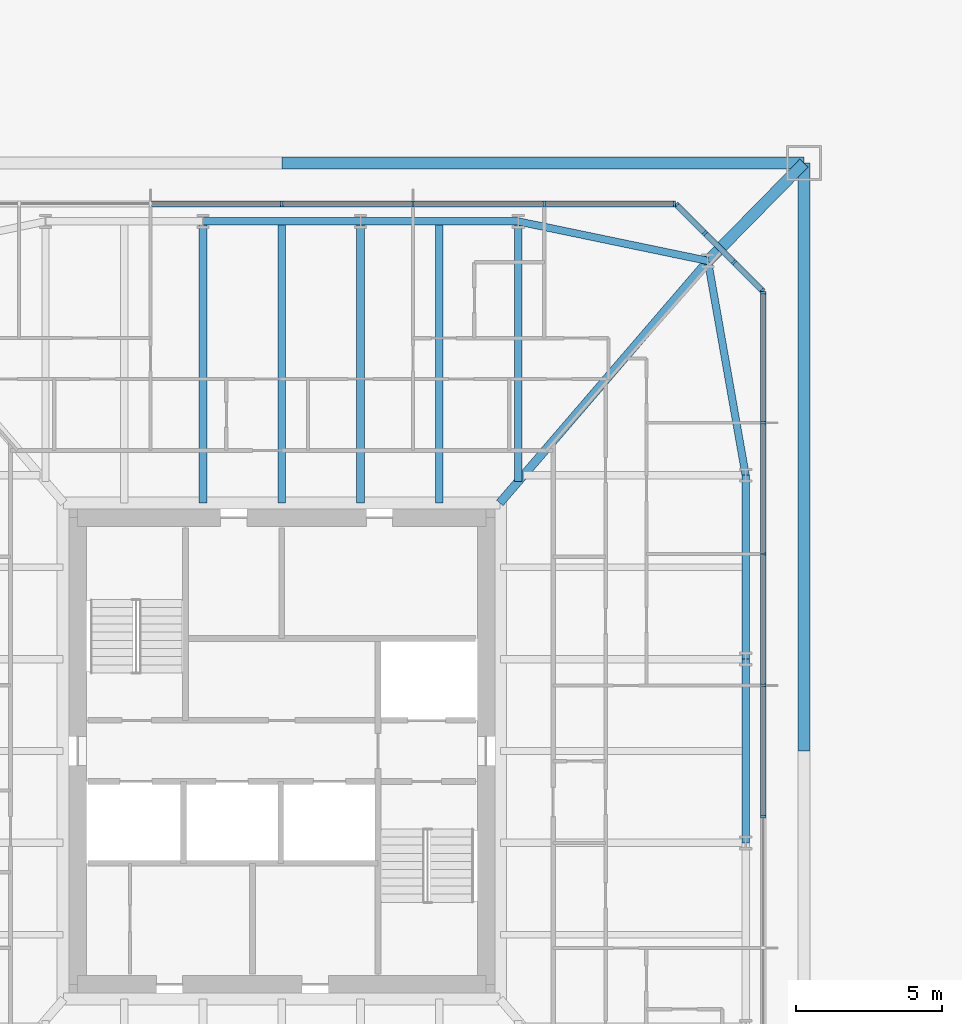
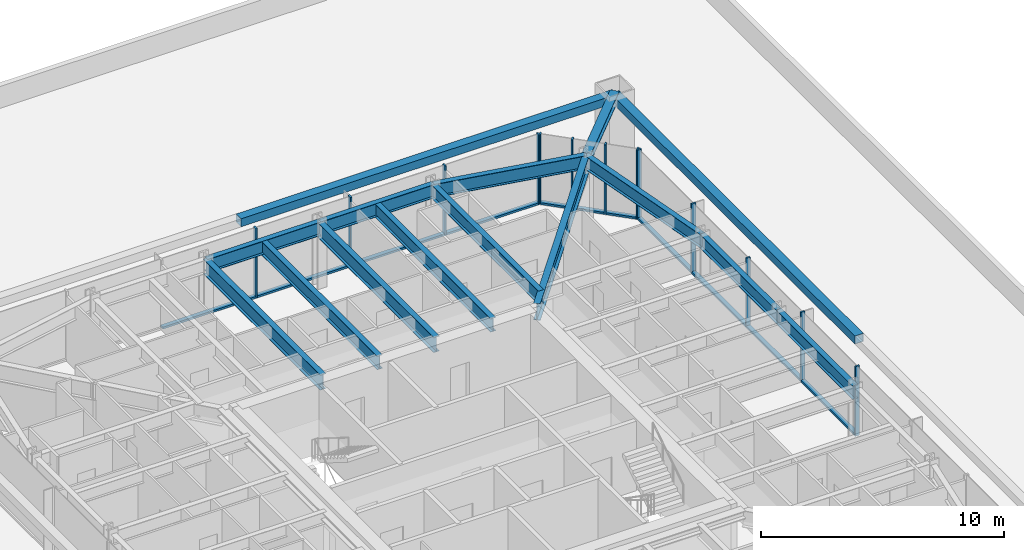
# One storey, part 12 of 31: 27 members, 12 beams, 3 elements without a shape of their own.
"""IFC4 building model written with IfcOpenShell, lengths in metres."""

from ifc_helpers import new_model, si_unit, direction, frame, origin, origin_2d, place, context, subcontext, project, spatial, rectangle, hollow_rectangle, i_section, extrude, material, material_profile, profile_set, type_object, element, aggregate, save


model = new_model("IFC4")

# Units and contexts
model_context = context("Model", 3, precision=1e-05, world=origin(), true_north=direction((0.0, 1.0)))
body_context = subcontext(model_context, "Body", "Model", "MODEL_VIEW")
ifc_project = project(units=[si_unit("LENGTHUNIT", "METRE"), si_unit("AREAUNIT", "SQUARE_METRE"), si_unit("VOLUMEUNIT", "CUBIC_METRE"), si_unit("PLANEANGLEUNIT", "RADIAN"), si_unit("MASSUNIT", "GRAM", prefix="KILO")], contexts=[model_context])

# Site, building, storey
site_placement = place(None, origin())
site = spatial("IfcSite", under=ifc_project, at=site_placement, CompositionType="ELEMENT")
building_placement = place(site_placement, origin())
building = spatial("IfcBuilding", under=site, at=building_placement, Name="Iwan Alto Co-Living Towers", CompositionType="ELEMENT")
storey_placement = place(building_placement, frame((0.0, 0.0, 15.0)))
storey = spatial("IfcBuildingStorey", under=building, at=storey_placement, Name="L03", CompositionType="ELEMENT", Elevation=15.0)

# Curtain wall, members
ifc_material_1 = material(Name="Bronze aluminium unitised frame", Category="aluminium")
curtain_wall_type_1 = type_object("IfcCurtainWallType", Name="CURTAIN WALL CW-C", PredefinedType="NOTDEFINED", material=ifc_material_1)
curtain_wall_1_placement = place(storey_placement, origin())
curtain_wall_1 = element("IfcCurtainWall", 1, at=curtain_wall_1_placement, inside=storey, type_object=curtain_wall_type_1, Name="T2 curtain wall E L03", PredefinedType="NOTDEFINED")
ifc_material_2 = material(Name="Aluminium 6063-T6 bronze anodised", Category="aluminium")
ifc_material_profile_1 = material_profile(ifc_material_2, rectangle(XDim=0.199951171875, YDim=0.080078125, at=origin_2d()), Name="AL 80X200")
ifc_profile_set_1 = profile_set([ifc_material_profile_1], Name="Aluminium 6063-T6 bronze anodised")
member_type_1 = type_object("IfcMemberType", Name="CW-C MULLION 80X200", PredefinedType="MULLION", material=ifc_profile_set_1)
member_1_placement = place(storey_placement, frame((79.5, -2.25, 0.0), z_axis=(0.0, 0.0, 1.0), x_axis=(-1.0, 0.0, 0.0)))
member_1 = element("IfcMember", 2, at=member_1_placement, type_object=member_type_1, Name="CW-C mullion 4", PredefinedType="MULLION", context=body_context, shape_type="SweptSolid", body=[
    extrude(rectangle(XDim=0.199951171875, YDim=0.080078125, at=origin_2d()), origin(), (0.0, 0.0, 1.0), 3.5),
])
member_2_placement = place(storey_placement, frame((79.5, 2.25, 0.0), z_axis=(0.0, 0.0, 1.0), x_axis=(-1.0, 0.0, 0.0)))
member_2 = element("IfcMember", 3, at=member_2_placement, type_object=member_type_1, Name="CW-C mullion 5", PredefinedType="MULLION", context=body_context, shape_type="SweptSolid", body=[
    extrude(rectangle(XDim=0.199951171875, YDim=0.080078125, at=origin_2d()), origin(), (0.0, 0.0, 1.0), 3.5),
])
member_3_placement = place(storey_placement, frame((79.5, 6.75, 0.0), z_axis=(0.0, 0.0, 1.0), x_axis=(-1.0, 0.0, 0.0)))
member_3 = element("IfcMember", 4, at=member_3_placement, type_object=member_type_1, Name="CW-C mullion 6", PredefinedType="MULLION", context=body_context, shape_type="SweptSolid", body=[
    extrude(rectangle(XDim=0.199951171875, YDim=0.080078125, at=origin_2d()), origin(), (0.0, 0.0, 1.0), 3.5),
])
member_4_placement = place(storey_placement, frame((79.5, 11.25, 0.0), z_axis=(0.0, 0.0, 1.0), x_axis=(-1.0, 0.0, 0.0)))
member_4 = element("IfcMember", 5, at=member_4_placement, type_object=member_type_1, Name="CW-C mullion 7", PredefinedType="MULLION", context=body_context, shape_type="SweptSolid", body=[
    extrude(rectangle(XDim=0.199951171875, YDim=0.080078125, at=origin_2d()), origin(), (0.0, 0.0, 1.0), 3.5),
])
member_5_placement = place(storey_placement, frame((79.5, 15.7099609375, 0.0), z_axis=(0.0, 0.0, 1.0), x_axis=(-1.0, 0.0, 0.0)))
member_5 = element("IfcMember", 6, at=member_5_placement, type_object=member_type_1, Name="CW-C mullion 8", PredefinedType="MULLION", context=body_context, shape_type="SweptSolid", body=[
    extrude(rectangle(XDim=0.199951171875, YDim=0.080078125, at=origin_2d()), origin(), (0.0, 0.0, 1.0), 3.5),
])

curtain_wall_2_placement = place(storey_placement, origin())
curtain_wall_2 = element("IfcCurtainWall", 7, at=curtain_wall_2_placement, inside=storey, type_object=curtain_wall_type_1, Name="T2 curtain wall N L03", PredefinedType="NOTDEFINED")
member_6_placement = place(storey_placement, frame((76.4599609375, 18.75, 0.0), z_axis=(0.0, 0.0, 1.0), x_axis=(0.0, -1.0, 0.0)))
member_6 = element("IfcMember", 8, at=member_6_placement, type_object=member_type_1, Name="CW-C mullion 1", PredefinedType="MULLION", context=body_context, shape_type="SweptSolid", body=[
    extrude(rectangle(XDim=0.199951171875, YDim=0.080078125, at=origin_2d()), origin(), (0.0, 0.0, 1.0), 3.5),
])
member_7_placement = place(storey_placement, frame((72.0, 18.75, 0.0), z_axis=(0.0, 0.0, 1.0), x_axis=(0.0, -1.0, 0.0)))
member_7 = element("IfcMember", 9, at=member_7_placement, type_object=member_type_1, Name="CW-C mullion 2", PredefinedType="MULLION", context=body_context, shape_type="SweptSolid", body=[
    extrude(rectangle(XDim=0.199951171875, YDim=0.080078125, at=origin_2d()), origin(), (0.0, 0.0, 1.0), 3.5),
])
member_8_placement = place(storey_placement, frame((67.5, 18.75, 0.0), z_axis=(0.0, 0.0, 1.0), x_axis=(0.0, -1.0, 0.0)))
member_8 = element("IfcMember", 10, at=member_8_placement, type_object=member_type_1, Name="CW-C mullion 3", PredefinedType="MULLION", context=body_context, shape_type="SweptSolid", body=[
    extrude(rectangle(XDim=0.199951171875, YDim=0.080078125, at=origin_2d()), origin(), (0.0, 0.0, 1.0), 3.5),
])
member_9_placement = place(storey_placement, frame((63.0, 18.75, 0.0), z_axis=(0.0, 0.0, 1.0), x_axis=(0.0, -1.0, 0.0)))
member_9 = element("IfcMember", 11, at=member_9_placement, type_object=member_type_1, Name="CW-C mullion 4", PredefinedType="MULLION", context=body_context, shape_type="SweptSolid", body=[
    extrude(rectangle(XDim=0.199951171875, YDim=0.080078125, at=origin_2d()), origin(), (0.0, 0.0, 1.0), 3.5),
])

# Member
ifc_material_3 = material(Name="Aluminium 6063-T6 bronze anodised", Category="aluminium")
ifc_material_profile_2 = material_profile(ifc_material_3, rectangle(XDim=0.199951171875, YDim=0.10009765625, at=origin_2d()), Name="AL 200X100")
ifc_profile_set_2 = profile_set([ifc_material_profile_2], Name="Aluminium 6063-T6 bronze anodised")
member_type_2 = type_object("IfcMemberType", Name="CW-C TRANSOM 200X100", PredefinedType="USERDEFINED", material=ifc_profile_set_2)
member_10_placement = place(storey_placement, frame((79.5, -2.2099609375, 0.050048828125), z_axis=(0.0, 1.0, 0.0), x_axis=(-1.0, 0.0, 0.0)))
member_10 = element("IfcMember", 12, at=member_10_placement, type_object=member_type_2, Name="CW-C transom 4.1", ObjectType="TRANSOM", PredefinedType="USERDEFINED", context=body_context, shape_type="SweptSolid", body=[
    extrude(rectangle(XDim=0.199951171875, YDim=0.10009765625, at=origin_2d()), origin(), (0.0, 0.0, 1.0), 4.419921875),
])

member_11_placement = place(storey_placement, frame((79.5, 2.2900390625, 0.050048828125), z_axis=(0.0, 1.0, 0.0), x_axis=(-1.0, 0.0, 0.0)))
member_11 = element("IfcMember", 13, at=member_11_placement, type_object=member_type_2, Name="CW-C transom 5.1", ObjectType="TRANSOM", PredefinedType="USERDEFINED", context=body_context, shape_type="SweptSolid", body=[
    extrude(rectangle(XDim=0.199951171875, YDim=0.10009765625, at=origin_2d()), origin(), (0.0, 0.0, 1.0), 4.419921875),
])

member_12_placement = place(storey_placement, frame((79.5, 6.7900390625, 0.050048828125), z_axis=(0.0, 1.0, 0.0), x_axis=(-1.0, 0.0, 0.0)))
member_12 = element("IfcMember", 14, at=member_12_placement, type_object=member_type_2, Name="CW-C transom 6.1", ObjectType="TRANSOM", PredefinedType="USERDEFINED", context=body_context, shape_type="SweptSolid", body=[
    extrude(rectangle(XDim=0.199951171875, YDim=0.10009765625, at=origin_2d()), origin(), (0.0, 0.0, 1.0), 4.419921875),
])

member_13_placement = place(storey_placement, frame((79.5, 11.2900390625, 0.050048828125), z_axis=(0.0, 1.0, 0.0), x_axis=(-1.0, 0.0, 0.0)))
member_13 = element("IfcMember", 15, at=member_13_placement, type_object=member_type_2, Name="CW-C transom 7.1", ObjectType="TRANSOM", PredefinedType="USERDEFINED", context=body_context, shape_type="SweptSolid", body=[
    extrude(rectangle(XDim=0.199951171875, YDim=0.10009765625, at=origin_2d()), origin(), (0.0, 0.0, 1.0), 4.3798828125),
])

aggregate(curtain_wall_1, [member_1, member_2, member_3, member_4, member_5, member_10, member_11, member_12, member_13])

member_14_placement = place(storey_placement, frame((76.419921875, 18.75, 0.050048828125), z_axis=(-1.0, 0.0, 0.0), x_axis=(0.0, -1.0, 0.0)))
member_14 = element("IfcMember", 16, at=member_14_placement, type_object=member_type_2, Name="CW-C transom 1.1", ObjectType="TRANSOM", PredefinedType="USERDEFINED", context=body_context, shape_type="SweptSolid", body=[
    extrude(rectangle(XDim=0.199951171875, YDim=0.10009765625, at=origin_2d()), origin(), (0.0, 0.0, 1.0), 4.3798828125),
])

member_15_placement = place(storey_placement, frame((71.9599609375, 18.75, 0.050048828125), z_axis=(-1.0, 0.0, 0.0), x_axis=(0.0, -1.0, 0.0)))
member_15 = element("IfcMember", 17, at=member_15_placement, type_object=member_type_2, Name="CW-C transom 2.1", ObjectType="TRANSOM", PredefinedType="USERDEFINED", context=body_context, shape_type="SweptSolid", body=[
    extrude(rectangle(XDim=0.199951171875, YDim=0.10009765625, at=origin_2d()), origin(), (0.0, 0.0, 1.0), 4.419921875),
])

member_16_placement = place(storey_placement, frame((67.4599609375, 18.75, 0.050048828125), z_axis=(-1.0, 0.0, 0.0), x_axis=(0.0, -1.0, 0.0)))
member_16 = element("IfcMember", 18, at=member_16_placement, type_object=member_type_2, Name="CW-C transom 3.1", ObjectType="TRANSOM", PredefinedType="USERDEFINED", context=body_context, shape_type="SweptSolid", body=[
    extrude(rectangle(XDim=0.199951171875, YDim=0.10009765625, at=origin_2d()), origin(), (0.0, 0.0, 1.0), 4.419921875),
])

member_17_placement = place(storey_placement, frame((62.9599609375, 18.75, 0.050048828125), z_axis=(-1.0, 0.0, 0.0), x_axis=(0.0, -1.0, 0.0)))
member_17 = element("IfcMember", 19, at=member_17_placement, type_object=member_type_2, Name="CW-C transom 4.1", ObjectType="TRANSOM", PredefinedType="USERDEFINED", context=body_context, shape_type="SweptSolid", body=[
    extrude(rectangle(XDim=0.199951171875, YDim=0.10009765625, at=origin_2d()), origin(), (0.0, 0.0, 1.0), 4.419921875),
])

aggregate(curtain_wall_2, [member_6, member_7, member_8, member_9, member_14, member_15, member_16, member_17])

# Curtain wall, members
ifc_material_4 = material(Name="Bronze aluminium unitised frame", Category="aluminium")
curtain_wall_type_2 = type_object("IfcCurtainWallType", Name="CURTAIN WALL CW-D", PredefinedType="NOTDEFINED", material=ifc_material_4)
curtain_wall_3_placement = place(storey_placement, origin())
curtain_wall_3 = element("IfcCurtainWall", 20, at=curtain_wall_3_placement, inside=storey, type_object=curtain_wall_type_2, Name="T2 chamfer curtain wall NE L03", PredefinedType="NOTDEFINED")
ifc_material_5 = material(Name="Aluminium 6063-T6 bronze anodised", Category="aluminium")
ifc_material_profile_3 = material_profile(ifc_material_5, rectangle(XDim=0.199951171875, YDim=0.080078125, at=origin_2d()), Name="AL 80X200")
ifc_profile_set_3 = profile_set([ifc_material_profile_3], Name="Aluminium 6063-T6 bronze anodised")
member_type_3 = type_object("IfcMemberType", Name="CW-D MULLION 80X200", PredefinedType="MULLION", material=ifc_profile_set_3)
member_18_placement = place(storey_placement, frame((79.4716796875, 15.7783203125, 0.0), z_axis=(0.0, 0.0, 1.0), x_axis=(-0.707106781187, -0.707106781187, 0.0)))
member_18 = element("IfcMember", 21, at=member_18_placement, type_object=member_type_3, Name="CW-D mullion 1", PredefinedType="MULLION", context=body_context, shape_type="SweptSolid", body=[
    extrude(rectangle(XDim=0.199951171875, YDim=0.080078125, at=origin_2d()), origin(), (0.0, 0.0, 1.0), 3.5),
])
member_19_placement = place(storey_placement, frame((78.5, 16.75, 0.0), z_axis=(0.0, 0.0, 1.0), x_axis=(-0.707106781187, -0.707106781187, 0.0)))
member_19 = element("IfcMember", 22, at=member_19_placement, type_object=member_type_3, Name="CW-D mullion 2", PredefinedType="MULLION", context=body_context, shape_type="SweptSolid", body=[
    extrude(rectangle(XDim=0.199951171875, YDim=0.080078125, at=origin_2d()), origin(), (0.0, 0.0, 1.0), 3.5),
])
member_20_placement = place(storey_placement, frame((77.5, 17.75, 0.0), z_axis=(0.0, 0.0, 1.0), x_axis=(-0.707106781187, -0.707106781187, 0.0)))
member_20 = element("IfcMember", 23, at=member_20_placement, type_object=member_type_3, Name="CW-D mullion 3", PredefinedType="MULLION", context=body_context, shape_type="SweptSolid", body=[
    extrude(rectangle(XDim=0.199951171875, YDim=0.080078125, at=origin_2d()), origin(), (0.0, 0.0, 1.0), 3.5),
])
member_21_placement = place(storey_placement, frame((76.5283203125, 18.7216796875, 0.0), z_axis=(0.0, 0.0, 1.0), x_axis=(-0.707106781187, -0.707106781187, 0.0)))
member_21 = element("IfcMember", 24, at=member_21_placement, type_object=member_type_3, Name="CW-D mullion 4", PredefinedType="MULLION", context=body_context, shape_type="SweptSolid", body=[
    extrude(rectangle(XDim=0.199951171875, YDim=0.080078125, at=origin_2d()), origin(), (0.0, 0.0, 1.0), 3.5),
])
ifc_material_6 = material(Name="Aluminium 6063-T6 bronze anodised", Category="aluminium")
ifc_material_profile_4 = material_profile(ifc_material_6, rectangle(XDim=0.199951171875, YDim=0.10009765625, at=origin_2d()), Name="AL 200X100")
ifc_profile_set_4 = profile_set([ifc_material_profile_4], Name="Aluminium 6063-T6 bronze anodised")
member_type_4 = type_object("IfcMemberType", Name="CW-D TRANSOM 200X100", PredefinedType="USERDEFINED", material=ifc_profile_set_4)
member_22_placement = place(storey_placement, frame((79.443359375, 15.806640625, 0.050048828125), z_axis=(-0.707106781187, 0.707106781187, 0.0), x_axis=(-0.707106781187, -0.707106781187, 0.0)))
member_22 = element("IfcMember", 25, at=member_22_placement, type_object=member_type_4, Name="CW-D transom 1.1", ObjectType="TRANSOM", PredefinedType="USERDEFINED", context=body_context, shape_type="SweptSolid", body=[
    extrude(rectangle(XDim=0.199951171875, YDim=0.10009765625, at=origin_2d()), origin(), (0.0, 0.0, 1.0), 1.2939453125),
])
member_23_placement = place(storey_placement, frame((78.4716796875, 16.7783203125, 0.050048828125), z_axis=(-0.707106781187, 0.707106781187, 0.0), x_axis=(-0.707106781187, -0.707106781187, 0.0)))
member_23 = element("IfcMember", 26, at=member_23_placement, type_object=member_type_4, Name="CW-D transom 2.1", ObjectType="TRANSOM", PredefinedType="USERDEFINED", context=body_context, shape_type="SweptSolid", body=[
    extrude(rectangle(XDim=0.199951171875, YDim=0.10009765625, at=origin_2d()), origin(), (0.0, 0.0, 1.0), 1.334228515625),
])
member_24_placement = place(storey_placement, frame((77.4716796875, 17.7783203125, 0.050048828125), z_axis=(-0.707106781187, 0.707106781187, 0.0), x_axis=(-0.707106781187, -0.707106781187, 0.0)))
member_24 = element("IfcMember", 27, at=member_24_placement, type_object=member_type_4, Name="CW-D transom 3.1", ObjectType="TRANSOM", PredefinedType="USERDEFINED", context=body_context, shape_type="SweptSolid", body=[
    extrude(rectangle(XDim=0.199951171875, YDim=0.10009765625, at=origin_2d()), origin(), (0.0, 0.0, 1.0), 1.2939453125),
])
aggregate(curtain_wall_3, [member_18, member_19, member_20, member_21, member_22, member_23, member_24])

# Beams
ifc_material_7 = material(Name="Steel ASTM A992 Gr 50", Category="steel")
ifc_material_profile_5 = material_profile(ifc_material_7, i_section(OverallWidth=0.2919921875, OverallDepth=0.8408203125, WebThickness=0.0146484375, FlangeThickness=0.021728515625, at=origin_2d()), Name="W33X130")
ifc_profile_set_5 = profile_set([ifc_material_profile_5], Name="Steel ASTM A992 Gr 50")
beam_type_1 = type_object("IfcBeamType", Name="T2 CORNER GIRDER W33X130", PredefinedType="BEAM", material=ifc_profile_set_5)
beam_1_placement = place(storey_placement, frame((77.606201171875, 16.797119140625, 2.849609375), z_axis=(-0.651972301827, -0.758242782788, 0.0), x_axis=(0.758242782788, -0.651972301827, 0.0)))
element("IfcBeam", 28, at=beam_1_placement, inside=storey, type_object=beam_type_1, Name="T2 corner girder CNE L04", PredefinedType="BEAM", context=body_context, shape_type="SweptSolid", body=[
    extrude(i_section(OverallWidth=0.2919921875, OverallDepth=0.8408203125, WebThickness=0.0146484375, FlangeThickness=0.021728515625, at=origin_2d()), origin(), (0.0, 0.0, 1.0), 10.93994140625),
])
ifc_material_8 = material(Name="Steel ASTM A992 Gr 50", Category="steel")
ifc_material_profile_6 = material_profile(ifc_material_8, i_section(OverallWidth=0.25390625, OverallDepth=0.683349609375, WebThickness=0.012451171875, FlangeThickness=0.018798828125, at=origin_2d()), Name="W27X94")
ifc_profile_set_6 = profile_set([ifc_material_profile_6], Name="Steel ASTM A992 Gr 50")
beam_type_2 = type_object("IfcBeamType", Name="T2 EDGE BEAM W27X94", PredefinedType="BEAM", material=ifc_profile_set_6)
beam_2_placement = place(storey_placement, frame((78.89990234375, -3.14990234375, 2.928466796875), z_axis=(0.0, 1.0, 0.0), x_axis=(-1.0, 0.0, 0.0)))
element("IfcBeam", 29, at=beam_2_placement, inside=storey, type_object=beam_type_2, Name="T2 edge beam E2 L04", PredefinedType="BEAM", context=body_context, shape_type="SweptSolid", body=[
    extrude(i_section(OverallWidth=0.25390625, OverallDepth=0.683349609375, WebThickness=0.012451171875, FlangeThickness=0.018798828125, at=origin_2d()), origin(), (0.0, 0.0, 1.0), 6.2998046875),
])
beam_3_placement = place(storey_placement, frame((78.89990234375, 3.14990234375, 2.928466796875), z_axis=(0.0, 1.0, 0.0), x_axis=(-1.0, 0.0, 0.0)))
element("IfcBeam", 30, at=beam_3_placement, inside=storey, type_object=beam_type_2, Name="T2 edge beam E3 L04", PredefinedType="BEAM", context=body_context, shape_type="SweptSolid", body=[
    extrude(i_section(OverallWidth=0.25390625, OverallDepth=0.683349609375, WebThickness=0.012451171875, FlangeThickness=0.018798828125, at=origin_2d()), origin(), (0.0, 0.0, 1.0), 6.300048828125),
])
beam_4_placement = place(storey_placement, frame((78.89990234375, 9.449951171875, 2.928466796875), z_axis=(-0.173413807283, 0.98484905008, 0.0), x_axis=(-0.98484905008, -0.173413807283, 0.0)))
element("IfcBeam", 31, at=beam_4_placement, inside=storey, type_object=beam_type_2, Name="T2 edge beam E4 L04", PredefinedType="BEAM", context=body_context, shape_type="SweptSolid", body=[
    extrude(i_section(OverallWidth=0.25390625, OverallDepth=0.683349609375, WebThickness=0.012451171875, FlangeThickness=0.018798828125, at=origin_2d()), origin(), (0.0, 0.0, 1.0), 7.460205078125),
])
beam_5_placement = place(storey_placement, frame((77.606201171875, 16.797119140625, 2.928466796875), z_axis=(-0.979060119423, 0.203571320564, 0.0), x_axis=(-0.203571320564, -0.979060119423, 0.0)))
element("IfcBeam", 32, at=beam_5_placement, inside=storey, type_object=beam_type_2, Name="T2 edge beam CNE L04", PredefinedType="BEAM", context=body_context, shape_type="SweptSolid", body=[
    extrude(i_section(OverallWidth=0.25390625, OverallDepth=0.683349609375, WebThickness=0.012451171875, FlangeThickness=0.018798828125, at=origin_2d()), origin(), (0.0, 0.0, 1.0), 6.645263671875),
])
beam_6_placement = place(storey_placement, frame((71.10009765625, 18.14990234375, 2.928466796875), z_axis=(-1.0, 0.0, 0.0), x_axis=(0.0, -1.0, 0.0)))
element("IfcBeam", 33, at=beam_6_placement, inside=storey, type_object=beam_type_2, Name="T2 edge beam N1 L04", PredefinedType="BEAM", context=body_context, shape_type="SweptSolid", body=[
    extrude(i_section(OverallWidth=0.25390625, OverallDepth=0.683349609375, WebThickness=0.012451171875, FlangeThickness=0.018798828125, at=origin_2d()), origin(), (0.0, 0.0, 1.0), 5.400146484375),
])
beam_7_placement = place(storey_placement, frame((65.699951171875, 18.14990234375, 2.928466796875), z_axis=(-1.0, 0.0, 0.0), x_axis=(0.0, -1.0, 0.0)))
element("IfcBeam", 34, at=beam_7_placement, inside=storey, type_object=beam_type_2, Name="T2 edge beam N2 L04", PredefinedType="BEAM", context=body_context, shape_type="SweptSolid", body=[
    extrude(i_section(OverallWidth=0.25390625, OverallDepth=0.683349609375, WebThickness=0.012451171875, FlangeThickness=0.018798828125, at=origin_2d()), origin(), (0.0, 0.0, 1.0), 5.39990234375),
])

# Members
ifc_material_9 = material(Name="Steel ASTM A992 Gr 50", Category="steel")
ifc_material_profile_7 = material_profile(ifc_material_9, i_section(OverallWidth=0.393798828125, OverallDepth=0.3759765625, WebThickness=0.017333984375, FlangeThickness=0.027587890625, at=origin_2d()), Name="W14X145")
ifc_profile_set_7 = profile_set([ifc_material_profile_7], Name="Steel ASTM A992 Gr 50")
member_type_5 = type_object("IfcMemberType", Name="T2 MEGA COLUMN FLOOR TIE W14X145", PredefinedType="STRUT", material=ifc_profile_set_7)
member_25_placement = place(storey_placement, frame((80.89990234375, 20.14990234375, 3.08203125), z_axis=(-0.700793469544, -0.71336422187, 0.0), x_axis=(0.71336422187, -0.700793469544, 0.0)))
element("IfcMember", 35, at=member_25_placement, inside=storey, type_object=member_type_5, Name="T2 mega column floor tie NE L04", PredefinedType="STRUT", context=body_context, shape_type="SweptSolid", body=[
    extrude(i_section(OverallWidth=0.393798828125, OverallDepth=0.3759765625, WebThickness=0.017333984375, FlangeThickness=0.027587890625, at=origin_2d()), origin(), (0.0, 0.0, 1.0), 4.699951171875),
])
ifc_material_10 = material(Name="Steel ASTM A500 Gr C", Category="steel")
ifc_material_profile_8 = material_profile(ifc_material_10, hollow_rectangle(XDim=0.406494140625, YDim=0.406494140625, WallThickness=0.0146484375, at=origin_2d()), Name="HSS16X16X5/8")
ifc_profile_set_8 = profile_set([ifc_material_profile_8], Name="Steel ASTM A500 Gr C")
member_type_6 = type_object("IfcMemberType", Name="T2 MEGA TIE HSS16X16X5/8", PredefinedType="STRUT", material=ifc_profile_set_8)
member_26_placement = place(storey_placement, frame((80.89990234375, 0.0, 3.0), z_axis=(0.0, 1.0, 0.0), x_axis=(-1.0, 0.0, 0.0)))
element("IfcMember", 36, at=member_26_placement, inside=storey, type_object=member_type_6, Name="T2 mega tie Z1A E 2", PredefinedType="STRUT", context=body_context, shape_type="SweptSolid", body=[
    extrude(hollow_rectangle(XDim=0.406494140625, YDim=0.406494140625, WallThickness=0.0146484375, at=origin_2d()), origin(), (0.0, 0.0, 1.0), 20.14990234375),
])
member_27_placement = place(storey_placement, frame((80.89990234375, 20.14990234375, 3.0), z_axis=(-1.0, 0.0, 0.0), x_axis=(0.0, -1.0, 0.0)))
element("IfcMember", 37, at=member_27_placement, inside=storey, type_object=member_type_6, Name="T2 mega tie Z1A N 1", PredefinedType="STRUT", context=body_context, shape_type="SweptSolid", body=[
    extrude(hollow_rectangle(XDim=0.406494140625, YDim=0.406494140625, WallThickness=0.0146484375, at=origin_2d()), origin(), (0.0, 0.0, 1.0), 17.89990234375),
])

# Beams
ifc_material_11 = material(Name="Steel ASTM A992 Gr 50", Category="steel")
ifc_material_profile_9 = material_profile(ifc_material_11, i_section(OverallWidth=0.25390625, OverallDepth=0.683349609375, WebThickness=0.012451171875, FlangeThickness=0.018798828125, at=origin_2d()), Name="W27X94")
ifc_profile_set_9 = profile_set([ifc_material_profile_9], Name="Steel ASTM A992 Gr 50")
beam_type_3 = type_object("IfcBeamType", Name="T2 RADIAL BEAM W27X94", PredefinedType="BEAM", material=ifc_profile_set_9)
beam_8_placement = place(storey_placement, frame((71.10009765625, 18.14990234375, 2.928466796875), z_axis=(0.0, -1.0, 0.0), x_axis=(1.0, 0.0, 0.0)))
element("IfcBeam", 38, at=beam_8_placement, inside=storey, type_object=beam_type_3, Name="T2 radial beam N1 L04", PredefinedType="BEAM", context=body_context, shape_type="SweptSolid", body=[
    extrude(i_section(OverallWidth=0.25390625, OverallDepth=0.683349609375, WebThickness=0.012451171875, FlangeThickness=0.018798828125, at=origin_2d()), origin(), (0.0, 0.0, 1.0), 8.91943359375),
])
ifc_material_12 = material(Name="Steel ASTM A992 Gr 50", Category="steel")
ifc_material_profile_10 = material_profile(ifc_material_12, i_section(OverallWidth=0.2666015625, OverallDepth=0.761962890625, WebThickness=0.014404296875, FlangeThickness=0.021484375, at=origin_2d()), Name="W30X116")
ifc_profile_set_10 = profile_set([ifc_material_profile_10], Name="Steel ASTM A992 Gr 50")
beam_type_4 = type_object("IfcBeamType", Name="T2 RADIAL BEAM W30X116", PredefinedType="BEAM", material=ifc_profile_set_10)
for number, where, z_axis, x_axis, name in (
    (39, (65.699951171875, 18.14990234375, 2.888916015625), (0.0, -1.0, 0.0), (1.0, 0.0, 0.0), "T2 radial beam N2 L04"),
    (40, (60.300048828125, 18.14990234375, 2.888916015625), (0.0, -1.0, 0.0), (1.0, 0.0, 0.0), "T2 radial beam N3 L04"),
):
    element("IfcBeam", number, at=place(storey_placement, frame(where, z_axis=z_axis, x_axis=x_axis)), inside=storey, type_object=beam_type_4, Name=name, PredefinedType="BEAM", context=body_context, shape_type="SweptSolid", body=[
        extrude(i_section(OverallWidth=0.2666015625, OverallDepth=0.761962890625, WebThickness=0.014404296875, FlangeThickness=0.021484375, at=origin_2d()), origin(), (0.0, 0.0, 1.0), 9.64794921875),
    ])
ifc_material_13 = material(Name="Steel ASTM A992 Gr 50", Category="steel")
ifc_material_profile_11 = material_profile(ifc_material_13, i_section(OverallWidth=0.25390625, OverallDepth=0.683349609375, WebThickness=0.012451171875, FlangeThickness=0.018798828125, at=origin_2d()), Name="W27X94")
ifc_profile_set_11 = profile_set([ifc_material_profile_11], Name="Steel ASTM A992 Gr 50")
beam_type_5 = type_object("IfcBeamType", Name="T2 SECONDARY BEAM W27X94", PredefinedType="JOIST", material=ifc_profile_set_11)
for number, where, z_axis, x_axis, name in (
    (41, (68.39990234375, 18.14990234375, 2.928466796875), (0.0, -1.0, 0.0), (1.0, 0.0, 0.0), "T2 secondary beam N1 L04"),
    (42, (63.0, 18.14990234375, 2.928466796875), (0.0, -1.0, 0.0), (1.0, 0.0, 0.0), "T2 secondary beam N2 L04"),
):
    element("IfcBeam", number, at=place(storey_placement, frame(where, z_axis=z_axis, x_axis=x_axis)), inside=storey, type_object=beam_type_5, Name=name, PredefinedType="JOIST", context=body_context, shape_type="SweptSolid", body=[
        extrude(i_section(OverallWidth=0.25390625, OverallDepth=0.683349609375, WebThickness=0.012451171875, FlangeThickness=0.018798828125, at=origin_2d()), origin(), (0.0, 0.0, 1.0), 9.64794921875),
    ])

save(model, "model.ifc")
